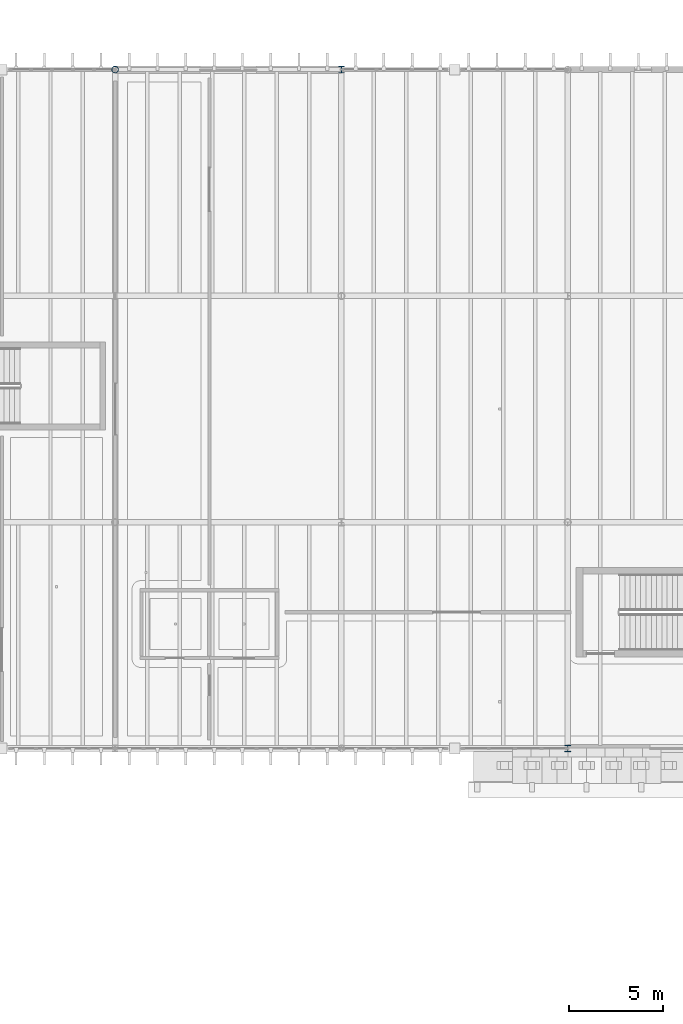
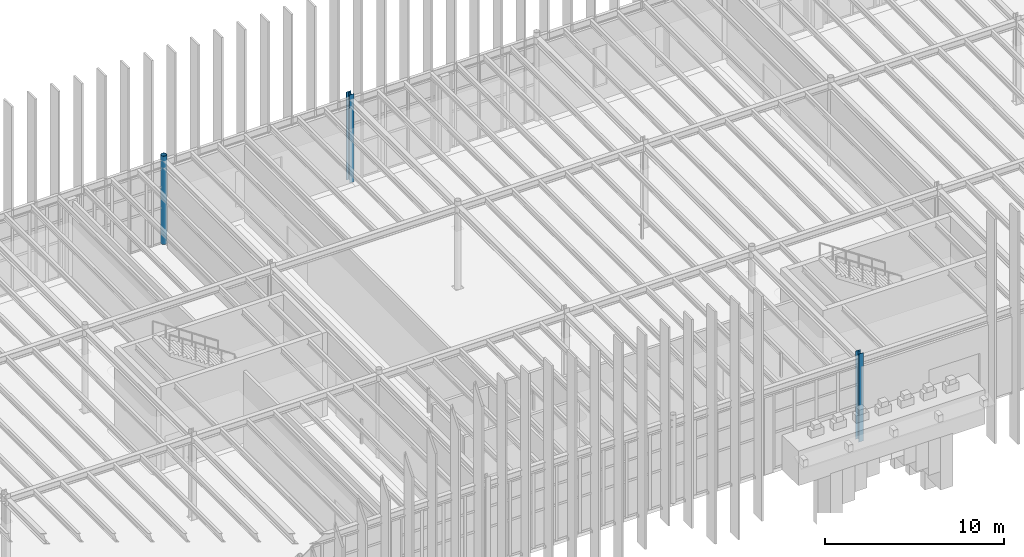
# One storey, part 6 of 83: 3 columns.
"""IFC4 building model written with IfcOpenShell, lengths in metres."""

from ifc_helpers import new_model, si_unit, direction, frame, origin, origin_2d, place, context, subcontext, project, spatial, hollow_circle, i_section, extrude, material, material_profile, profile_set, type_object, element, save


model = new_model("IFC4")

# Units and contexts
model_context = context("Model", 3, precision=1e-05, world=origin(), true_north=direction((0.0, 1.0)))
body_context = subcontext(model_context, "Body", "Model", "MODEL_VIEW")
ifc_project = project(units=[si_unit("LENGTHUNIT", "METRE"), si_unit("AREAUNIT", "SQUARE_METRE"), si_unit("VOLUMEUNIT", "CUBIC_METRE"), si_unit("PLANEANGLEUNIT", "RADIAN"), si_unit("MASSUNIT", "GRAM", prefix="KILO")], contexts=[model_context])

# Site, building, storey
site_placement = place(None, origin())
site = spatial("IfcSite", under=ifc_project, at=site_placement, CompositionType="ELEMENT")
building_placement = place(site_placement, origin())
building = spatial("IfcBuilding", under=site, at=building_placement, Name="Zlatogorsky Bluff Art Gallery", CompositionType="ELEMENT")
storey_placement = place(building_placement, frame((0.0, 0.0, 10.800048828125)))
storey = spatial("IfcBuildingStorey", under=building, at=storey_placement, Name="L02", CompositionType="ELEMENT", Elevation=10.800048828125)

# Columns
ifc_material = material(Name="Steel S355", Category="steel")
ifc_material_profile_1 = material_profile(ifc_material, i_section(OverallWidth=0.300048828125, OverallDepth=0.360107421875, WebThickness=0.012451171875, FlangeThickness=0.0224609375, FilletRadius=0.027099609375, at=origin_2d()), Name="HEB 360")
ifc_profile_set_1 = profile_set([ifc_material_profile_1], Name="Steel S355")
column_type_1 = type_object("IfcColumnType", Name="Column CL-05 HEB 360", PredefinedType="COLUMN", material=ifc_profile_set_1)
for number, where, z_axis, x_axis, name in (
    (1, (60.0, 120.0, 0.0), (0.0, 0.0, 1.0), (1.0, 0.0, 0.0), "Column CL-05 L02 F12"),
    (2, (72.0, 84.0, 0.0), (0.0, 0.0, 1.0), (1.0, 0.0, 0.0), "Column CL-05 L02 G9"),
):
    element("IfcColumn", number, at=place(storey_placement, frame(where, z_axis=z_axis, x_axis=x_axis)), inside=storey, type_object=column_type_1, Name=name, PredefinedType="COLUMN", context=body_context, shape_type="SweptSolid", body=[
        extrude(i_section(OverallWidth=0.300048828125, OverallDepth=0.360107421875, WebThickness=0.012451171875, FlangeThickness=0.0224609375, FilletRadius=0.027099609375, at=origin_2d()), origin(), (0.0, 0.0, 1.0), 6.0),
    ])
ifc_material_profile_2 = material_profile(ifc_material, hollow_circle(Radius=0.177734375, WallThickness=0.01611328125, at=origin_2d()), Name="CHS 355.6x16")
ifc_profile_set_2 = profile_set([ifc_material_profile_2], Name="Steel S355")
column_type_2 = type_object("IfcColumnType", Name="Column CL-10 CHS 355.6x16", PredefinedType="COLUMN", material=ifc_profile_set_2)
column_placement = place(storey_placement, frame((48.0, 120.0, 0.0), z_axis=(0.0, 0.0, 1.0), x_axis=(1.0, 0.0, 0.0)))
element("IfcColumn", 3, at=column_placement, inside=storey, type_object=column_type_2, Name="Column CL-10 L02 E12", PredefinedType="COLUMN", context=body_context, shape_type="SweptSolid", body=[
    extrude(hollow_circle(Radius=0.177734375, WallThickness=0.01611328125, at=origin_2d()), origin(), (0.0, 0.0, 1.0), 6.0),
])

save(model, "model.ifc")
